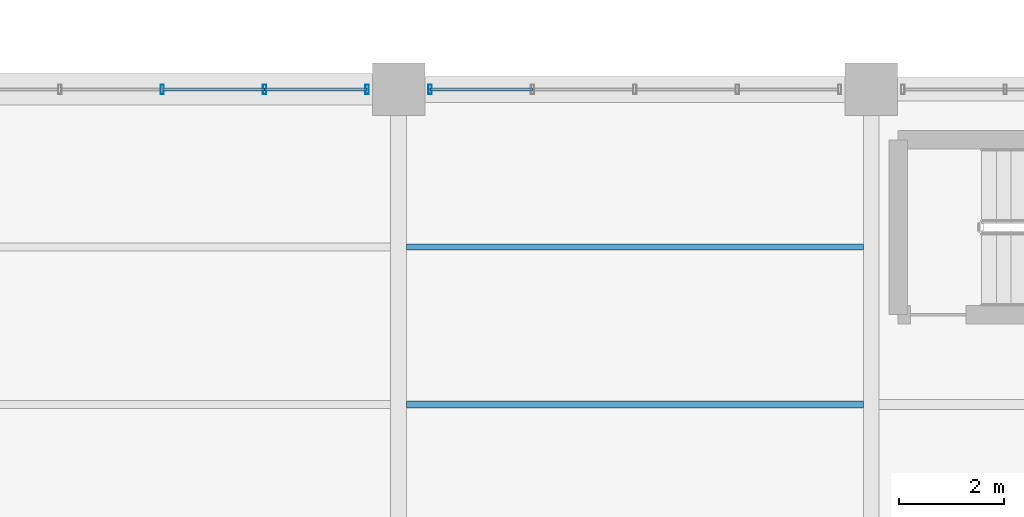
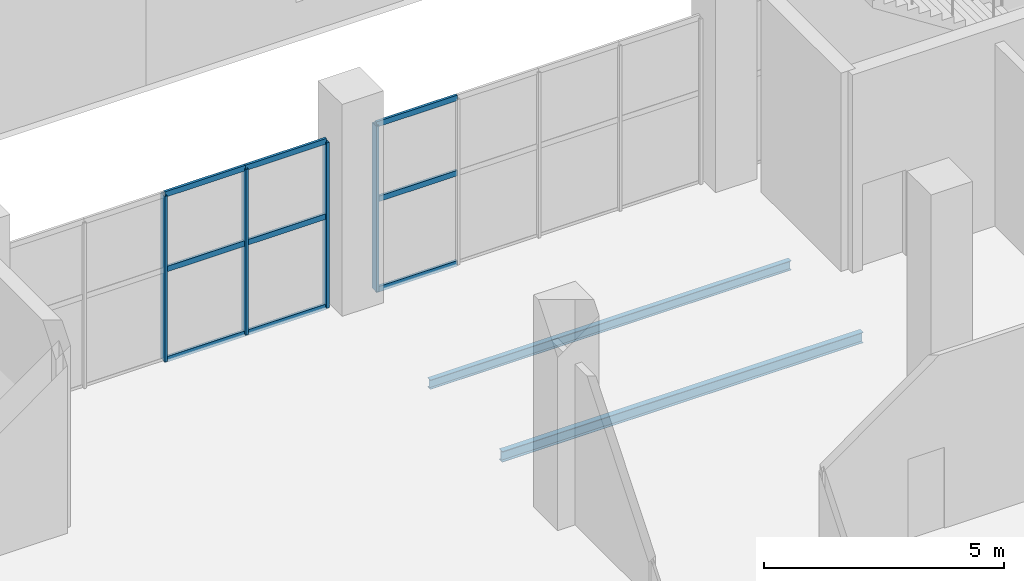
# One storey, part 53 of 147: 13 members, 2 beams, 2 elements without a shape of their own.
"""IFC4 building model written with IfcOpenShell, lengths in metres."""

from ifc_helpers import new_model, si_unit, direction, frame, origin, origin_2d, place, context, subcontext, project, spatial, hollow_rectangle, i_section, extrude, material, layer, layer_set, material_profile, profile_set, type_object, element, aggregate, save


model = new_model("IFC4")

# Units and contexts
model_context = context("Model", 3, precision=1e-05, world=origin(), true_north=direction((0.0, 1.0)))
body_context = subcontext(model_context, "Body", "Model", "MODEL_VIEW")
ifc_project = project(units=[si_unit("LENGTHUNIT", "METRE"), si_unit("AREAUNIT", "SQUARE_METRE"), si_unit("VOLUMEUNIT", "CUBIC_METRE"), si_unit("PLANEANGLEUNIT", "RADIAN"), si_unit("MASSUNIT", "GRAM", prefix="KILO")], contexts=[model_context])

# Site, building, storey
site_placement = place(None, origin())
site = spatial("IfcSite", under=ifc_project, at=site_placement, CompositionType="ELEMENT")
building_placement = place(site_placement, origin())
building = spatial("IfcBuilding", under=site, at=building_placement, Name="Sundgate Opera House", CompositionType="ELEMENT")
storey_placement = place(building_placement, frame((0.0, 0.0, 6.0)))
storey = spatial("IfcBuildingStorey", under=building, at=storey_placement, Name="L01", CompositionType="ELEMENT", Elevation=6.0)

# Beams
ifc_material_1 = material(Name="Steel S355J2", Category="steel")
ifc_material_profile_1 = material_profile(ifc_material_1, i_section(OverallWidth=0.1201171875, OverallDepth=0.239990234375, WebThickness=0.006103515625, FlangeThickness=0.009765625, at=origin_2d()), Name="IPE 240")
ifc_profile_set_1 = profile_set([ifc_material_profile_1], Name="Steel S355J2")
beam_type_1 = type_object("IfcBeamType", Name="BM-JS-IPE240", PredefinedType="JOIST", material=ifc_profile_set_1)
beam_1_placement = place(storey_placement, frame((54.14990234375, 75.0, -0.419921875), z_axis=(1.0, 0.0, 0.0), x_axis=(0.0, 1.0, 0.0)))
element("IfcBeam", 1, at=beam_1_placement, inside=storey, type_object=beam_type_1, Name="L01 Secondary Floor Joist B1616", PredefinedType="JOIST", context=body_context, shape_type="SweptSolid", body=[
    extrude(i_section(OverallWidth=0.1201171875, OverallDepth=0.239990234375, WebThickness=0.006103515625, FlangeThickness=0.009765625, at=origin_2d()), origin(), (0.0, 0.0, 1.0), 8.7001953125),
])
ifc_material_2 = material(Name="Steel S355J2", Category="steel")
ifc_material_profile_2 = material_profile(ifc_material_2, i_section(OverallWidth=0.135009765625, OverallDepth=0.27001953125, WebThickness=0.006591796875, FlangeThickness=0.01025390625, at=origin_2d()), Name="IPE 270")
ifc_profile_set_2 = profile_set([ifc_material_profile_2], Name="Steel S355J2")
beam_type_2 = type_object("IfcBeamType", Name="BM-JS-IPE270", PredefinedType="JOIST", material=ifc_profile_set_2)
beam_2_placement = place(storey_placement, frame((54.14990234375, 72.0, -0.43505859375), z_axis=(1.0, 0.0, 0.0), x_axis=(0.0, 1.0, 0.0)))
element("IfcBeam", 2, at=beam_2_placement, inside=storey, type_object=beam_type_2, Name="L01 Secondary Floor Joist B1615", PredefinedType="JOIST", context=body_context, shape_type="SweptSolid", body=[
    extrude(i_section(OverallWidth=0.135009765625, OverallDepth=0.27001953125, WebThickness=0.006591796875, FlangeThickness=0.01025390625, at=origin_2d()), origin(), (0.0, 0.0, 1.0), 8.7001953125),
])

# Curtain wall, members
ifc_material_3 = material(Name="Anodized aluminium and low-iron glass", Category="aluminium")
ifc_layer = layer(ifc_material_3, 0.179931640625)
ifc_layer_set = layer_set([ifc_layer], Name="Anodized aluminium and low-iron glass")
curtain_wall_type = type_object("IfcCurtainWallType", Name="CW-FOYER-GLASS", PredefinedType="NOTDEFINED", material=ifc_layer_set)
curtain_wall_1_placement = place(storey_placement, origin())
curtain_wall_1 = element("IfcCurtainWall", 3, at=curtain_wall_1_placement, inside=storey, type_object=curtain_wall_type, Name="L01 Curtain Wall CW016", PredefinedType="NOTDEFINED")
ifc_material_4 = material(Name="Anodized aluminium EN AW-6063", Category="aluminium")
ifc_material_profile_3 = material_profile(ifc_material_4, hollow_rectangle(XDim=0.06494140625, YDim=0.179931640625, WallThickness=0.00390625, at=origin_2d()), Name="CWM 180x65x4")
ifc_profile_set_3 = profile_set([ifc_material_profile_3], Name="Anodized aluminium EN AW-6063")
member_type_1 = type_object("IfcMemberType", Name="CWM-ALU-180x65", PredefinedType="MULLION", material=ifc_profile_set_3)
member_1_placement = place(storey_placement, frame((49.5, 78.0, 0.0), z_axis=(0.0, 0.0, 1.0), x_axis=(1.0, 0.0, 0.0)))
member_1 = element("IfcMember", 4, at=member_1_placement, type_object=member_type_1, Name="CW016 Mullion 3", PredefinedType="MULLION", context=body_context, shape_type="SweptSolid", body=[
    extrude(hollow_rectangle(XDim=0.06494140625, YDim=0.179931640625, WallThickness=0.00390625, at=origin_2d()), origin(), (0.0, 0.0, 1.0), 4.215087890625),
])
member_2_placement = place(storey_placement, frame((51.449951171875, 78.0, 0.0), z_axis=(0.0, 0.0, 1.0), x_axis=(1.0, 0.0, 0.0)))
member_2 = element("IfcMember", 5, at=member_2_placement, type_object=member_type_1, Name="CW016 Mullion 4", PredefinedType="MULLION", context=body_context, shape_type="SweptSolid", body=[
    extrude(hollow_rectangle(XDim=0.06494140625, YDim=0.179931640625, WallThickness=0.00390625, at=origin_2d()), origin(), (0.0, 0.0, 1.0), 4.215087890625),
])
member_3_placement = place(storey_placement, frame((53.39990234375, 78.0, 0.0), z_axis=(0.0, 0.0, 1.0), x_axis=(1.0, 0.0, 0.0)))
member_3 = element("IfcMember", 6, at=member_3_placement, type_object=member_type_1, Name="CW016 Mullion 5", PredefinedType="MULLION", context=body_context, shape_type="SweptSolid", body=[
    extrude(hollow_rectangle(XDim=0.06494140625, YDim=0.179931640625, WallThickness=0.00390625, at=origin_2d()), origin(), (0.0, 0.0, 1.0), 4.215087890625),
])

# Curtain wall, member
curtain_wall_2_placement = place(storey_placement, origin())
curtain_wall_2 = element("IfcCurtainWall", 7, at=curtain_wall_2_placement, inside=storey, type_object=curtain_wall_type, Name="L01 Curtain Wall CW017", PredefinedType="NOTDEFINED")
member_4_placement = place(storey_placement, frame((54.60009765625, 78.0, 0.0), z_axis=(0.0, 0.0, 1.0), x_axis=(1.0, 0.0, 0.0)))
member_4 = element("IfcMember", 8, at=member_4_placement, type_object=member_type_1, Name="CW017 Mullion 1", PredefinedType="MULLION", context=body_context, shape_type="SweptSolid", body=[
    extrude(hollow_rectangle(XDim=0.06494140625, YDim=0.179931640625, WallThickness=0.00390625, at=origin_2d()), origin(), (0.0, 0.0, 1.0), 4.215087890625),
])

# Member
ifc_material_5 = material(Name="Anodized aluminium EN AW-6063", Category="aluminium")
ifc_material_profile_4 = material_profile(ifc_material_5, hollow_rectangle(XDim=0.06005859375, YDim=0.139892578125, WallThickness=0.00390625, at=origin_2d()), Name="CWT 140x60x4")
ifc_profile_set_4 = profile_set([ifc_material_profile_4], Name="Anodized aluminium EN AW-6063")
member_type_2 = type_object("IfcMemberType", Name="CWT-ALU-140x60", PredefinedType="USERDEFINED", material=ifc_profile_set_4)
member_5_placement = place(storey_placement, frame((49.5, 78.0, 0.0), z_axis=(1.0, 0.0, 0.0), x_axis=(0.0, 1.0, 0.0)))
member_5 = element("IfcMember", 9, at=member_5_placement, type_object=member_type_2, Name="CW016 Transom 7", ObjectType="TRANSOM", PredefinedType="USERDEFINED", context=body_context, shape_type="SweptSolid", body=[
    extrude(hollow_rectangle(XDim=0.06005859375, YDim=0.139892578125, WallThickness=0.00390625, at=origin_2d()), origin(), (0.0, 0.0, 1.0), 1.949951171875),
])

member_6_placement = place(storey_placement, frame((49.5, 78.0, 2.300048828125), z_axis=(1.0, 0.0, 0.0), x_axis=(0.0, 1.0, 0.0)))
member_6 = element("IfcMember", 10, at=member_6_placement, type_object=member_type_2, Name="CW016 Transom 8", ObjectType="TRANSOM", PredefinedType="USERDEFINED", context=body_context, shape_type="SweptSolid", body=[
    extrude(hollow_rectangle(XDim=0.06005859375, YDim=0.139892578125, WallThickness=0.00390625, at=origin_2d()), origin(), (0.0, 0.0, 1.0), 1.949951171875),
])

member_7_placement = place(storey_placement, frame((49.5, 78.0, 4.215087890625), z_axis=(1.0, 0.0, 0.0), x_axis=(0.0, 1.0, 0.0)))
member_7 = element("IfcMember", 11, at=member_7_placement, type_object=member_type_2, Name="CW016 Transom 9", ObjectType="TRANSOM", PredefinedType="USERDEFINED", context=body_context, shape_type="SweptSolid", body=[
    extrude(hollow_rectangle(XDim=0.06005859375, YDim=0.139892578125, WallThickness=0.00390625, at=origin_2d()), origin(), (0.0, 0.0, 1.0), 1.949951171875),
])

member_8_placement = place(storey_placement, frame((51.449951171875, 78.0, 0.0), z_axis=(1.0, 0.0, 0.0), x_axis=(0.0, 1.0, 0.0)))
member_8 = element("IfcMember", 12, at=member_8_placement, type_object=member_type_2, Name="CW016 Transom 10", ObjectType="TRANSOM", PredefinedType="USERDEFINED", context=body_context, shape_type="SweptSolid", body=[
    extrude(hollow_rectangle(XDim=0.06005859375, YDim=0.139892578125, WallThickness=0.00390625, at=origin_2d()), origin(), (0.0, 0.0, 1.0), 1.949951171875),
])

member_9_placement = place(storey_placement, frame((51.449951171875, 78.0, 2.300048828125), z_axis=(1.0, 0.0, 0.0), x_axis=(0.0, 1.0, 0.0)))
member_9 = element("IfcMember", 13, at=member_9_placement, type_object=member_type_2, Name="CW016 Transom 11", ObjectType="TRANSOM", PredefinedType="USERDEFINED", context=body_context, shape_type="SweptSolid", body=[
    extrude(hollow_rectangle(XDim=0.06005859375, YDim=0.139892578125, WallThickness=0.00390625, at=origin_2d()), origin(), (0.0, 0.0, 1.0), 1.949951171875),
])

member_10_placement = place(storey_placement, frame((51.449951171875, 78.0, 4.215087890625), z_axis=(1.0, 0.0, 0.0), x_axis=(0.0, 1.0, 0.0)))
member_10 = element("IfcMember", 14, at=member_10_placement, type_object=member_type_2, Name="CW016 Transom 12", ObjectType="TRANSOM", PredefinedType="USERDEFINED", context=body_context, shape_type="SweptSolid", body=[
    extrude(hollow_rectangle(XDim=0.06005859375, YDim=0.139892578125, WallThickness=0.00390625, at=origin_2d()), origin(), (0.0, 0.0, 1.0), 1.949951171875),
])

aggregate(curtain_wall_1, [member_1, member_2, member_3, member_5, member_6, member_7, member_8, member_9, member_10])

member_11_placement = place(storey_placement, frame((54.60009765625, 78.0, 0.0), z_axis=(1.0, 0.0, 0.0), x_axis=(0.0, 1.0, 0.0)))
member_11 = element("IfcMember", 15, at=member_11_placement, type_object=member_type_2, Name="CW017 Transom 1", ObjectType="TRANSOM", PredefinedType="USERDEFINED", context=body_context, shape_type="SweptSolid", body=[
    extrude(hollow_rectangle(XDim=0.06005859375, YDim=0.139892578125, WallThickness=0.00390625, at=origin_2d()), origin(), (0.0, 0.0, 1.0), 1.949951171875),
])

member_12_placement = place(storey_placement, frame((54.60009765625, 78.0, 2.300048828125), z_axis=(1.0, 0.0, 0.0), x_axis=(0.0, 1.0, 0.0)))
member_12 = element("IfcMember", 16, at=member_12_placement, type_object=member_type_2, Name="CW017 Transom 2", ObjectType="TRANSOM", PredefinedType="USERDEFINED", context=body_context, shape_type="SweptSolid", body=[
    extrude(hollow_rectangle(XDim=0.06005859375, YDim=0.139892578125, WallThickness=0.00390625, at=origin_2d()), origin(), (0.0, 0.0, 1.0), 1.949951171875),
])

member_13_placement = place(storey_placement, frame((54.60009765625, 78.0, 4.215087890625), z_axis=(1.0, 0.0, 0.0), x_axis=(0.0, 1.0, 0.0)))
member_13 = element("IfcMember", 17, at=member_13_placement, type_object=member_type_2, Name="CW017 Transom 3", ObjectType="TRANSOM", PredefinedType="USERDEFINED", context=body_context, shape_type="SweptSolid", body=[
    extrude(hollow_rectangle(XDim=0.06005859375, YDim=0.139892578125, WallThickness=0.00390625, at=origin_2d()), origin(), (0.0, 0.0, 1.0), 1.949951171875),
])

aggregate(curtain_wall_2, [member_4, member_11, member_12, member_13])

save(model, "model.ifc")
